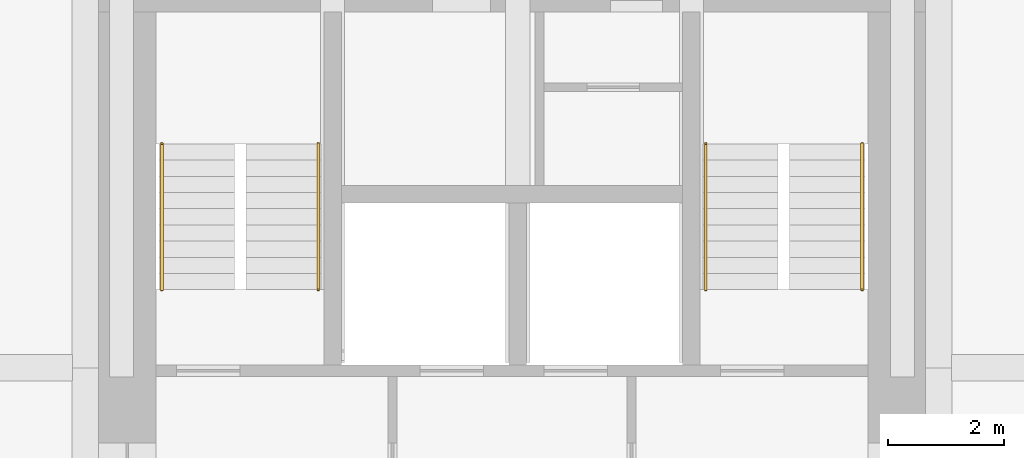
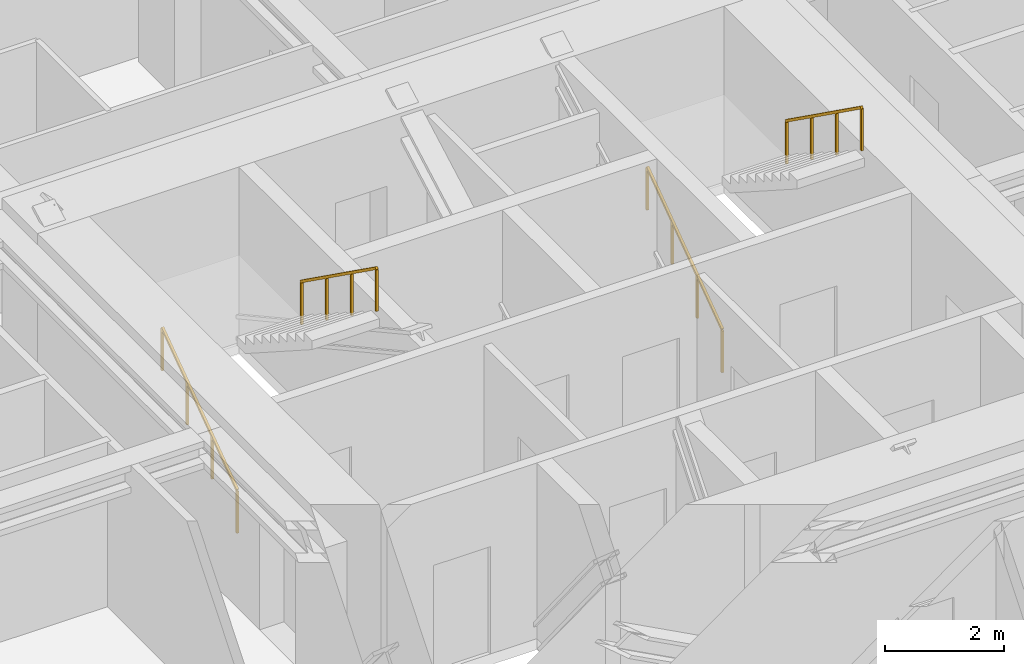
# One storey, part 10 of 10: 4 railings.
"""IFC4 building model written with IfcOpenShell, lengths in metres."""

from ifc_helpers import new_model, si_unit, direction, frame, origin, origin_2d, place, context, subcontext, project, spatial, rectangle, extrude, material, type_object, element, save


model = new_model("IFC4")

# Units and contexts
model_context = context("Model", 3, precision=1e-05, world=origin(), true_north=direction((0.0, 1.0)))
body_context = subcontext(model_context, "Body", "Model", "MODEL_VIEW")
ifc_project = project(units=[si_unit("LENGTHUNIT", "METRE"), si_unit("AREAUNIT", "SQUARE_METRE"), si_unit("VOLUMEUNIT", "CUBIC_METRE"), si_unit("PLANEANGLEUNIT", "RADIAN"), si_unit("MASSUNIT", "GRAM", prefix="KILO")], contexts=[model_context])

# Site, building, storey
site_placement = place(None, origin())
site = spatial("IfcSite", under=ifc_project, at=site_placement, CompositionType="ELEMENT")
building_placement = place(site_placement, origin())
building = spatial("IfcBuilding", under=site, at=building_placement, Name="Nyansa Garden Tower", CompositionType="ELEMENT")
storey_placement = place(building_placement, frame((0.0, 0.0, 189.0)))
storey = spatial("IfcBuildingStorey", under=building, at=storey_placement, Name="L51", CompositionType="ELEMENT", Elevation=189.0)

# Railings
ifc_material = material(Name="Black powder-coated steel tube 48 mm", Category="steel")
railing_type = type_object("IfcRailingType", Name="Stair handrail HR1", PredefinedType="HANDRAIL", material=ifc_material)
railing_1_placement = place(storey_placement, frame((14.199951171875, 21.60009765625, 0.0)))
element("IfcRailing", 1, at=railing_1_placement, inside=storey, type_object=railing_type, Name="Stair S1 handrail L51", PredefinedType="HANDRAIL", context=body_context, shape_type="SweptSolid", body=[
    extrude(rectangle(XDim=0.048095703125, YDim=0.048095703125, at=origin_2d()), frame((0.0, 0.0, 0.8759765625), z_axis=(0.0, 0.813728144527, 0.581245650998), x_axis=(-1.0, 0.0, 0.0)), (0.0, 0.0, 1.0), 3.096923828125),
    extrude(rectangle(XDim=0.0419921875, YDim=0.0419921875, at=origin_2d()), origin(), (0.0, 0.0, 1.0), 0.851806640625),
    extrude(rectangle(XDim=0.0419921875, YDim=0.0419921875, at=origin_2d()), frame((0.0, 0.840087890625, 0.60009765625)), (0.0, 0.0, 1.0), 0.851806640625),
    extrude(rectangle(XDim=0.0419921875, YDim=0.0419921875, at=origin_2d()), frame((0.0, 1.679931640625, 1.199951171875)), (0.0, 0.0, 1.0), 0.851806640625),
    extrude(rectangle(XDim=0.0419921875, YDim=0.0419921875, at=origin_2d()), frame((0.0, 2.52001953125, 1.800048828125)), (0.0, 0.0, 1.0), 0.851806640625),
])
railing_2_placement = place(storey_placement, frame((16.89990234375, 24.1201171875, 1.800048828125)))
element("IfcRailing", 2, at=railing_2_placement, inside=storey, type_object=railing_type, Name="Stair S1 handrail L51", PredefinedType="HANDRAIL", context=body_context, shape_type="SweptSolid", body=[
    extrude(rectangle(XDim=0.048095703125, YDim=0.048095703125, at=origin_2d()), frame((0.0, 0.0, 0.8759765625), z_axis=(0.0, -0.813728144527, 0.581245650998), x_axis=(1.0, 0.0, 0.0)), (0.0, 0.0, 1.0), 3.096923828125),
    extrude(rectangle(XDim=0.0419921875, YDim=0.0419921875, at=origin_2d()), origin(), (0.0, 0.0, 1.0), 0.851806640625),
    extrude(rectangle(XDim=0.0419921875, YDim=0.0419921875, at=origin_2d()), frame((0.0, -0.840087890625, 0.60009765625)), (0.0, 0.0, 1.0), 0.851806640625),
    extrude(rectangle(XDim=0.0419921875, YDim=0.0419921875, at=origin_2d()), frame((0.0, -1.679931640625, 1.199951171875)), (0.0, 0.0, 1.0), 0.851806640625),
    extrude(rectangle(XDim=0.0419921875, YDim=0.0419921875, at=origin_2d()), frame((0.0, -2.52001953125, 1.800048828125)), (0.0, 0.0, 1.0), 0.851806640625),
])
railing_3_placement = place(storey_placement, frame((23.60009765625, 21.60009765625, 0.0)))
element("IfcRailing", 3, at=railing_3_placement, inside=storey, type_object=railing_type, Name="Stair S2 handrail L51", PredefinedType="HANDRAIL", context=body_context, shape_type="SweptSolid", body=[
    extrude(rectangle(XDim=0.048095703125, YDim=0.048095703125, at=origin_2d()), frame((0.0, 0.0, 0.8759765625), z_axis=(0.0, 0.813728144527, 0.581245650998), x_axis=(-1.0, 0.0, 0.0)), (0.0, 0.0, 1.0), 3.096923828125),
    extrude(rectangle(XDim=0.0419921875, YDim=0.0419921875, at=origin_2d()), origin(), (0.0, 0.0, 1.0), 0.851806640625),
    extrude(rectangle(XDim=0.0419921875, YDim=0.0419921875, at=origin_2d()), frame((0.0, 0.840087890625, 0.60009765625)), (0.0, 0.0, 1.0), 0.851806640625),
    extrude(rectangle(XDim=0.0419921875, YDim=0.0419921875, at=origin_2d()), frame((0.0, 1.679931640625, 1.199951171875)), (0.0, 0.0, 1.0), 0.851806640625),
    extrude(rectangle(XDim=0.0419921875, YDim=0.0419921875, at=origin_2d()), frame((0.0, 2.52001953125, 1.800048828125)), (0.0, 0.0, 1.0), 0.851806640625),
])
railing_4_placement = place(storey_placement, frame((26.300048828125, 24.1201171875, 1.800048828125)))
element("IfcRailing", 4, at=railing_4_placement, inside=storey, type_object=railing_type, Name="Stair S2 handrail L51", PredefinedType="HANDRAIL", context=body_context, shape_type="SweptSolid", body=[
    extrude(rectangle(XDim=0.048095703125, YDim=0.048095703125, at=origin_2d()), frame((0.0, 0.0, 0.8759765625), z_axis=(0.0, -0.813728144527, 0.581245650998), x_axis=(1.0, 0.0, 0.0)), (0.0, 0.0, 1.0), 3.096923828125),
    extrude(rectangle(XDim=0.0419921875, YDim=0.0419921875, at=origin_2d()), origin(), (0.0, 0.0, 1.0), 0.851806640625),
    extrude(rectangle(XDim=0.0419921875, YDim=0.0419921875, at=origin_2d()), frame((0.0, -0.840087890625, 0.60009765625)), (0.0, 0.0, 1.0), 0.851806640625),
    extrude(rectangle(XDim=0.0419921875, YDim=0.0419921875, at=origin_2d()), frame((0.0, -1.679931640625, 1.199951171875)), (0.0, 0.0, 1.0), 0.851806640625),
    extrude(rectangle(XDim=0.0419921875, YDim=0.0419921875, at=origin_2d()), frame((0.0, -2.52001953125, 1.800048828125)), (0.0, 0.0, 1.0), 0.851806640625),
])

save(model, "model.ifc")
